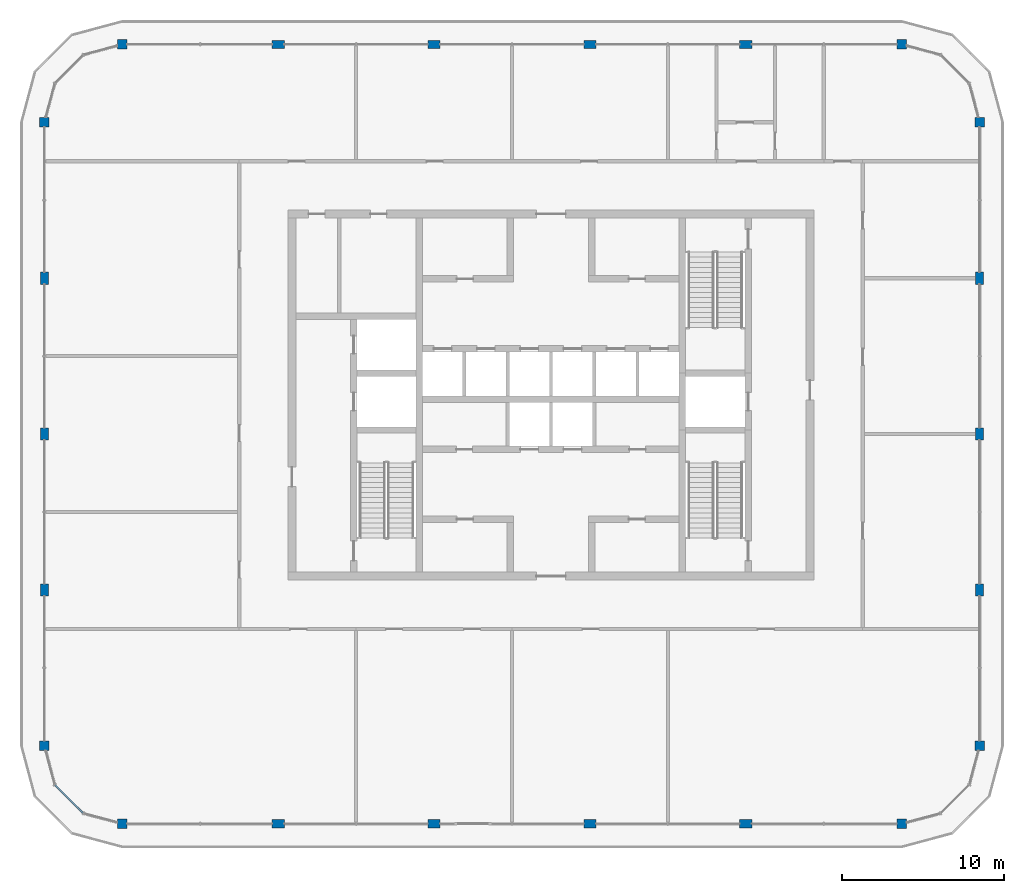
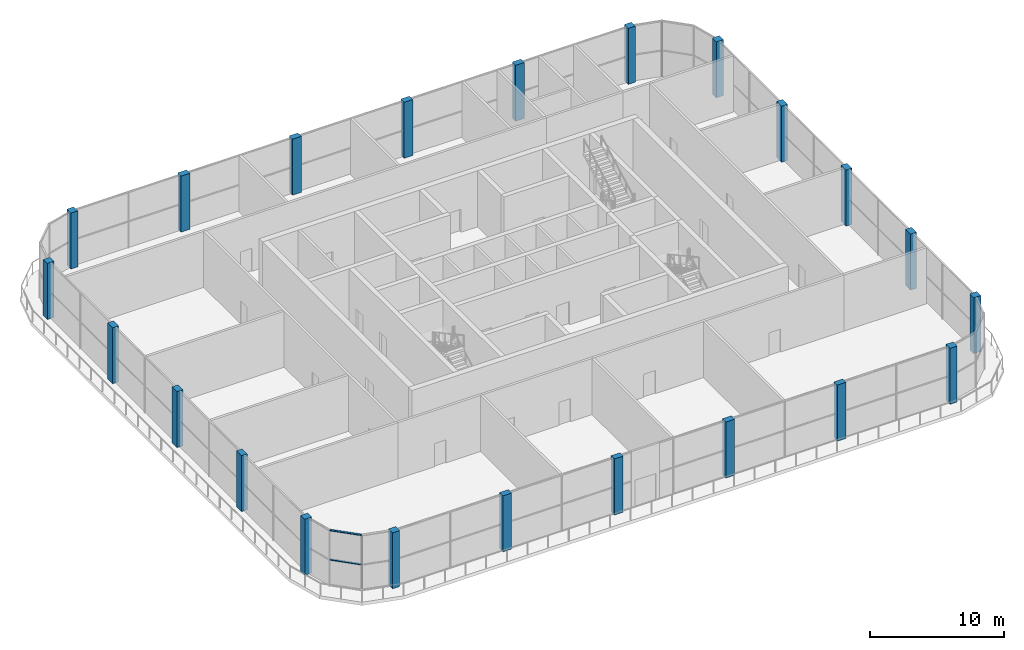
# One storey, part 1 of 15: 22 columns, 2 members, 1 element without a shape of its own.
"""IFC4 building model written with IfcOpenShell, lengths in metres."""

from ifc_helpers import new_model, si_unit, direction, frame, origin, origin_2d, place, context, subcontext, project, spatial, rectangle, extrude, material, layer, layer_set, material_profile, profile_set, type_object, element, aggregate, save


model = new_model("IFC4")

# Units and contexts
model_context = context("Model", 3, precision=1e-05, world=origin(), true_north=direction((0.0, 1.0)))
body_context = subcontext(model_context, "Body", "Model", "MODEL_VIEW")
ifc_project = project(units=[si_unit("LENGTHUNIT", "METRE"), si_unit("AREAUNIT", "SQUARE_METRE"), si_unit("VOLUMEUNIT", "CUBIC_METRE"), si_unit("PLANEANGLEUNIT", "RADIAN"), si_unit("MASSUNIT", "GRAM", prefix="KILO")], contexts=[model_context])

# Site, building, storey
site_placement = place(None, origin())
site = spatial("IfcSite", under=ifc_project, at=site_placement, CompositionType="ELEMENT")
building_placement = place(site_placement, origin())
building = spatial("IfcBuilding", under=site, at=building_placement, Name="Madar Terraces", CompositionType="ELEMENT")
storey_placement = place(building_placement, frame((0.0, 0.0, 286.10009765625)))
storey = spatial("IfcBuildingStorey", under=building, at=storey_placement, Name="L75", CompositionType="ELEMENT", Elevation=286.10009765625)

# Columns
ifc_material_1 = material(Name="Concrete C50/60", Category="concrete")
ifc_material_profile_1 = material_profile(ifc_material_1, rectangle(XDim=0.75, YDim=0.5, at=origin_2d()), Name="CC6 RC 750x500")
ifc_profile_set_1 = profile_set([ifc_material_profile_1], Name="Concrete C50/60")
column_type_1 = type_object("IfcColumnType", Name="CC6 RC 750x500", PredefinedType="COLUMN", material=ifc_profile_set_1)
for number, where, z_axis, x_axis, name in (
    (1, (14.39990234375, 0.0, 0.0), (0.0, 0.0, 1.0), (1.0, 0.0, 0.0), "Perimeter column S2"),
    (2, (24.0, 0.0, 0.0), (0.0, 0.0, 1.0), (1.0, 0.0, 0.0), "Perimeter column S3"),
    (3, (33.60009765625, 0.0, 0.0), (0.0, 0.0, 1.0), (1.0, 0.0, 0.0), "Perimeter column S4"),
    (4, (43.199951171875, 0.0, 0.0), (0.0, 0.0, 1.0), (1.0, 0.0, 0.0), "Perimeter column S5"),
    (5, (57.60009765625, 14.39990234375, 0.0), (0.0, 0.0, 1.0), (0.0, 1.0, 0.0), "Perimeter column E2"),
    (6, (57.60009765625, 24.0, 0.0), (0.0, 0.0, 1.0), (0.0, 1.0, 0.0), "Perimeter column E3"),
    (7, (57.60009765625, 33.60009765625, 0.0), (0.0, 0.0, 1.0), (0.0, 1.0, 0.0), "Perimeter column E4"),
    (8, (43.199951171875, 48.0, 0.0), (0.0, 0.0, 1.0), (1.0, 0.0, 0.0), "Perimeter column N2"),
    (9, (33.60009765625, 48.0, 0.0), (0.0, 0.0, 1.0), (1.0, 0.0, 0.0), "Perimeter column N3"),
    (10, (24.0, 48.0, 0.0), (0.0, 0.0, 1.0), (1.0, 0.0, 0.0), "Perimeter column N4"),
    (11, (14.39990234375, 48.0, 0.0), (0.0, 0.0, 1.0), (1.0, 0.0, 0.0), "Perimeter column N5"),
    (12, (0.0, 33.60009765625, 0.0), (0.0, 0.0, 1.0), (0.0, 1.0, 0.0), "Perimeter column W2"),
    (13, (0.0, 24.0, 0.0), (0.0, 0.0, 1.0), (0.0, 1.0, 0.0), "Perimeter column W3"),
    (14, (0.0, 14.39990234375, 0.0), (0.0, 0.0, 1.0), (0.0, 1.0, 0.0), "Perimeter column W4"),
):
    element("IfcColumn", number, at=place(storey_placement, frame(where, z_axis=z_axis, x_axis=x_axis)), inside=storey, type_object=column_type_1, Name=name, PredefinedType="COLUMN", context=body_context, shape_type="SweptSolid", body=[
        extrude(rectangle(XDim=0.75, YDim=0.5, at=origin_2d()), origin(), (0.0, 0.0, 1.0), 5.099853515625),
    ])
ifc_material_2 = material(Name="Concrete C50/60", Category="concrete")
ifc_material_profile_2 = material_profile(ifc_material_2, rectangle(XDim=0.60009765625, YDim=0.60009765625, at=origin_2d()), Name="KC6 RC 600x600")
ifc_profile_set_2 = profile_set([ifc_material_profile_2], Name="Concrete C50/60")
column_type_2 = type_object("IfcColumnType", Name="KC6 RC 600x600", PredefinedType="COLUMN", material=ifc_profile_set_2)
for number, where, z_axis, x_axis, name in (
    (15, (4.800048828125, 0.0, 0.0), (0.0, 0.0, 1.0), (1.0, 0.0, 0.0), "Perimeter column S1"),
    (16, (52.800048828125, 0.0, 0.0), (0.0, 0.0, 1.0), (1.0, 0.0, 0.0), "Perimeter column S6"),
    (17, (57.60009765625, 4.800048828125, 0.0), (0.0, 0.0, 1.0), (1.0, 0.0, 0.0), "Perimeter column E1"),
    (18, (57.60009765625, 43.199951171875, 0.0), (0.0, 0.0, 1.0), (1.0, 0.0, 0.0), "Perimeter column E5"),
    (19, (52.800048828125, 48.0, 0.0), (0.0, 0.0, 1.0), (1.0, 0.0, 0.0), "Perimeter column N1"),
    (20, (4.800048828125, 48.0, 0.0), (0.0, 0.0, 1.0), (1.0, 0.0, 0.0), "Perimeter column N6"),
    (21, (0.0, 43.199951171875, 0.0), (0.0, 0.0, 1.0), (1.0, 0.0, 0.0), "Perimeter column W1"),
    (22, (0.0, 4.800048828125, 0.0), (0.0, 0.0, 1.0), (1.0, 0.0, 0.0), "Perimeter column W5"),
):
    element("IfcColumn", number, at=place(storey_placement, frame(where, z_axis=z_axis, x_axis=x_axis)), inside=storey, type_object=column_type_2, Name=name, PredefinedType="COLUMN", context=body_context, shape_type="SweptSolid", body=[
        extrude(rectangle(XDim=0.60009765625, YDim=0.60009765625, at=origin_2d()), origin(), (0.0, 0.0, 1.0), 5.099853515625),
    ])

# Curtain wall, members
ifc_material_3 = material(Name="Glass, clear low-iron, with black aluminium frame", Category="aluminium")
ifc_layer = layer(ifc_material_3, 0.199951171875)
ifc_layer_set = layer_set([ifc_layer], Name="Facade curtain wall, observation glazing")
curtain_wall_type = type_object("IfcCurtainWallType", Name="Facade curtain wall, observation glazing", PredefinedType="NOTDEFINED", material=ifc_layer_set)
curtain_wall_placement = place(storey_placement, origin())
curtain_wall = element("IfcCurtainWall", 23, at=curtain_wall_placement, inside=storey, type_object=curtain_wall_type, Name="Outer skin curtain wall south-west corner", PredefinedType="NOTDEFINED")
ifc_material_4 = material(Name="Aluminium, black anodised", Category="aluminium")
ifc_material_profile_3 = material_profile(ifc_material_4, rectangle(XDim=0.1201171875, YDim=0.06005859375, at=origin_2d()), Name="Facade transom 60x120")
ifc_profile_set_3 = profile_set([ifc_material_profile_3], Name="Aluminium, black anodised")
member_type = type_object("IfcMemberType", Name="Facade transom 60x120", PredefinedType="USERDEFINED", material=ifc_profile_set_3)
member_1_placement = place(storey_placement, frame((0.664306640625, 2.37890625, 5.06982421875), z_axis=(0.707106781187, -0.707106781187, 0.0), x_axis=(0.707106781187, 0.707106781187, 0.0)))
member_1 = element("IfcMember", 24, at=member_1_placement, type_object=member_type, Name="Transom 3", ObjectType="TRANSOM", PredefinedType="USERDEFINED", context=body_context, shape_type="SweptSolid", body=[
    extrude(rectangle(XDim=0.1201171875, YDim=0.06005859375, at=origin_2d()), origin(), (0.0, 0.0, 1.0), 2.4248046875),
])
member_2_placement = place(storey_placement, frame((0.664306640625, 2.37890625, 2.39990234375), z_axis=(0.707106781187, -0.707106781187, 0.0), x_axis=(0.707106781187, 0.707106781187, 0.0)))
member_2 = element("IfcMember", 25, at=member_2_placement, type_object=member_type, Name="Transom 4", ObjectType="TRANSOM", PredefinedType="USERDEFINED", context=body_context, shape_type="SweptSolid", body=[
    extrude(rectangle(XDim=0.1201171875, YDim=0.06005859375, at=origin_2d()), origin(), (0.0, 0.0, 1.0), 2.4248046875),
])
aggregate(curtain_wall, [member_1, member_2])

save(model, "model.ifc")
